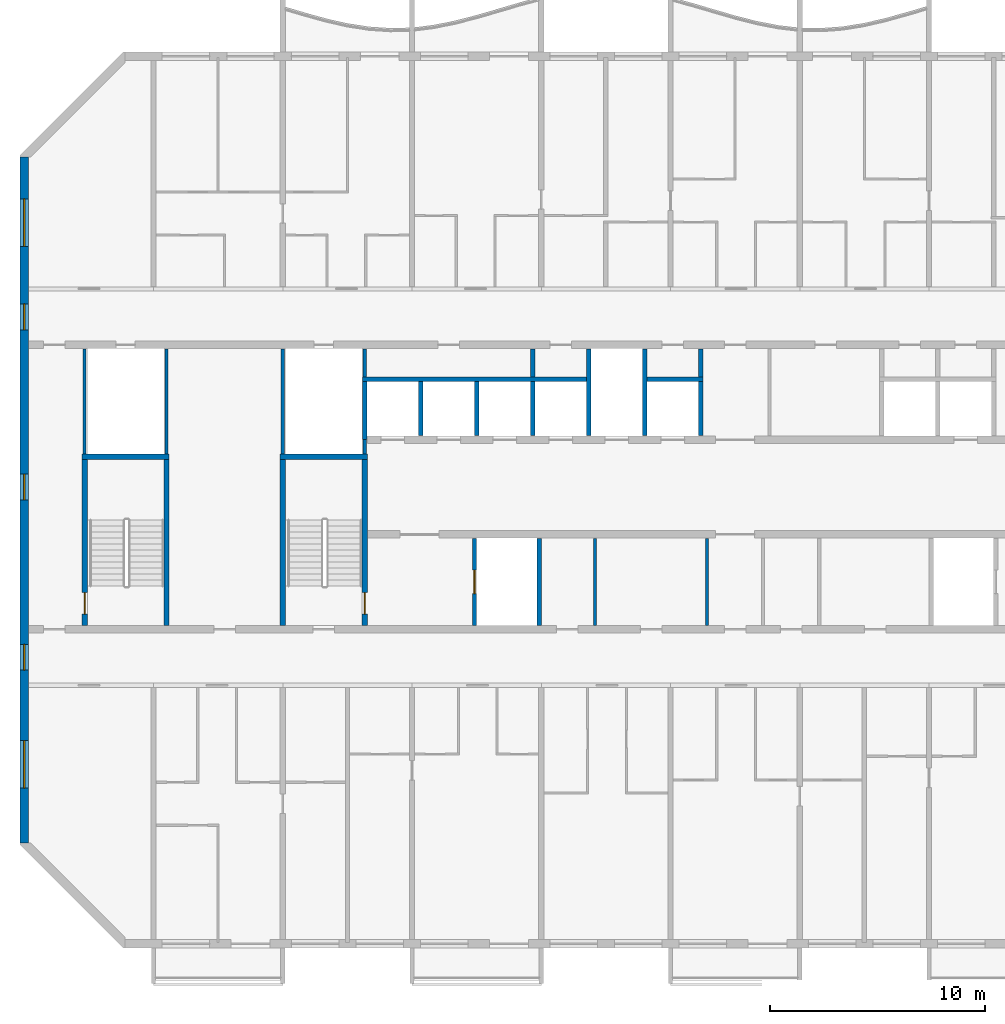
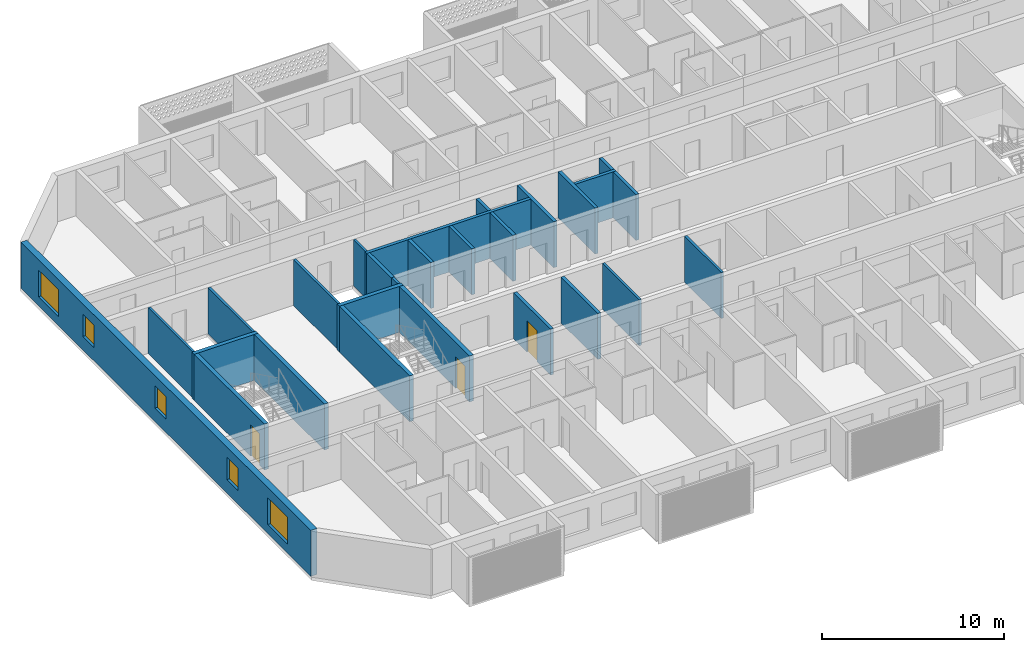
# One storey, part 3 of 27: 27 walls, 5 windows, 3 doors, 8 openings.
"""IFC4 building model written with IfcOpenShell, lengths in metres."""

from ifc_helpers import new_model, si_unit, direction, frame, frame_2d, origin, place, context, subcontext, project, spatial, rectangle, extrude, material, layer, layer_set, type_object, element, fill, save


model = new_model("IFC4")

# Units and contexts
model_context = context("Model", 3, precision=1e-05, world=origin(), true_north=direction((0.0, 1.0)))
body_context = subcontext(model_context, "Body", "Model", "MODEL_VIEW")
ifc_project = project(units=[si_unit("LENGTHUNIT", "METRE"), si_unit("AREAUNIT", "SQUARE_METRE"), si_unit("VOLUMEUNIT", "CUBIC_METRE"), si_unit("PLANEANGLEUNIT", "RADIAN"), si_unit("MASSUNIT", "GRAM", prefix="KILO")], contexts=[model_context])

# Site, building, storey
site_placement = place(None, origin())
site = spatial("IfcSite", under=ifc_project, at=site_placement, CompositionType="ELEMENT")
building_placement = place(site_placement, origin())
building = spatial("IfcBuilding", under=site, at=building_placement, Name="Poui Terraces", CompositionType="ELEMENT")
storey_placement = place(building_placement, frame((0.0, 0.0, 254.39990234375)))
storey = spatial("IfcBuildingStorey", under=building, at=storey_placement, Name="L71", CompositionType="ELEMENT", Elevation=254.39990234375)

# Wall
ifc_material_1 = material(Name="Fire-rated plasterboard wall")
ifc_layer_1 = layer(ifc_material_1, 0.14990234375)
ifc_layer_set_1 = layer_set([ifc_layer_1], Name="Fire-rated plasterboard wall")
wall_type_1 = type_object("IfcWallType", Name="CORRIDOR WALL 150", PredefinedType="PARTITIONING", material=ifc_layer_set_1)
wall_1_placement = place(storey_placement, frame((49.699951171875, 14.784912109375, 0.0), z_axis=(0.0, 0.0, 1.0), x_axis=(0.0, 1.0, 0.0)))
element("IfcWall", 1, at=wall_1_placement, inside=storey, type_object=wall_type_1, Name="CORRIDOR WALL 150", PredefinedType="PARTITIONING", context=body_context, shape_type="SweptSolid", body=[
    extrude(rectangle(XDim=4.030029296875, YDim=0.14990234375, at=frame_2d((2.01513671875, 0.0))), origin(), (0.0, 0.0, 1.0), 3.080078125),
])

# Wall, openings, windows
ifc_material_2 = material(Name="Concrete 50 MPa", Category="concrete")
ifc_layer_2 = layer(ifc_material_2, 0.39990234375)
ifc_layer_set_2 = layer_set([ifc_layer_2], Name="Concrete 50 MPa")
wall_type_2 = type_object("IfcWallType", Name="END WALL 400 50MPa", PredefinedType="SHEAR", material=ifc_layer_set_2)
wall_2_placement = place(storey_placement, frame((18.0, 4.682861328125, 0.0), z_axis=(0.0, 0.0, 1.0), x_axis=(0.0, 1.0, 0.0)))
wall_2 = element("IfcWall", 2, at=wall_2_placement, inside=storey, type_object=wall_type_2, Name="END WALL WEST", PredefinedType="SHEAR", context=body_context, shape_type="SweptSolid", body=[
    extrude(rectangle(XDim=31.834228515625, YDim=0.39990234375, at=frame_2d((15.9169921875, 0.0))), origin(), (0.0, 0.0, 1.0), 3.080078125),
])
opening_1_placement = place(wall_2_placement, frame((23.817138671875, 0.0, 0.89990234375)))
opening_1 = element("IfcOpeningElement", 3, at=opening_1_placement, cuts=wall_2, Name="Opening W2", PredefinedType="OPENING", context=body_context, shape_type="SweptSolid", body=[
    extrude(rectangle(XDim=1.199951171875, YDim=1.5, at=frame_2d((0.60009765625, 0.75))), frame((0.0, 0.2099609375, 0.0), z_axis=(0.0, -1.0, 0.0), x_axis=(1.0, 0.0, 0.0)), (0.0, 0.0, 1.0), 0.419921875),
])
opening_2_placement = place(wall_2_placement, frame((8.01708984375, 0.0, 0.89990234375)))
opening_2 = element("IfcOpeningElement", 4, at=opening_2_placement, cuts=wall_2, Name="Opening W2", PredefinedType="OPENING", context=body_context, shape_type="SweptSolid", body=[
    extrude(rectangle(XDim=1.199951171875, YDim=1.5, at=frame_2d((0.60009765625, 0.75))), frame((0.0, 0.2099609375, 0.0), z_axis=(0.0, -1.0, 0.0), x_axis=(1.0, 0.0, 0.0)), (0.0, 0.0, 1.0), 0.419921875),
])
opening_3_placement = place(wall_2_placement, frame((27.693603515625, 0.0, 0.60009765625)))
opening_3 = element("IfcOpeningElement", 5, at=opening_3_placement, cuts=wall_2, Name="Opening W3", PredefinedType="OPENING", context=body_context, shape_type="SweptSolid", body=[
    extrude(rectangle(XDim=2.199951171875, YDim=1.800048828125, at=frame_2d((1.10009765625, 0.89990234375))), frame((0.0, 0.2099609375, 0.0), z_axis=(0.0, -1.0, 0.0), x_axis=(1.0, 0.0, 0.0)), (0.0, 0.0, 1.0), 0.419921875),
])
opening_4_placement = place(wall_2_placement, frame((2.541015625, 0.0, 0.60009765625)))
opening_4 = element("IfcOpeningElement", 6, at=opening_4_placement, cuts=wall_2, Name="Opening W3", PredefinedType="OPENING", context=body_context, shape_type="SweptSolid", body=[
    extrude(rectangle(XDim=2.199951171875, YDim=1.800048828125, at=frame_2d((1.10009765625, 0.89990234375))), frame((0.0, 0.2099609375, 0.0), z_axis=(0.0, -1.0, 0.0), x_axis=(1.0, 0.0, 0.0)), (0.0, 0.0, 1.0), 0.419921875),
])
opening_5_placement = place(wall_2_placement, frame((15.917236328125, 0.0, 0.89990234375)))
opening_5 = element("IfcOpeningElement", 7, at=opening_5_placement, cuts=wall_2, Name="Opening W2", PredefinedType="OPENING", context=body_context, shape_type="SweptSolid", body=[
    extrude(rectangle(XDim=1.199951171875, YDim=1.5, at=frame_2d((0.60009765625, 0.75))), frame((0.0, 0.2099609375, 0.0), z_axis=(0.0, -1.0, 0.0), x_axis=(1.0, 0.0, 0.0)), (0.0, 0.0, 1.0), 0.419921875),
])
ifc_material_3 = material(Name="Clear glass in aluminium frame", Category="aluminium")
window_type_1 = type_object("IfcWindowType", Name="WINDOW 1200X1500", PartitioningType="SINGLE_PANEL", PredefinedType="WINDOW", material=ifc_material_3)
window_1_placement = place(opening_1_placement, origin())
window_1 = element("IfcWindow", 8, at=window_1_placement, inside=storey, type_object=window_type_1, Name="W2 WINDOW", OverallHeight=1.5, OverallWidth=1.199951171875, PartitioningType="SINGLE_PANEL", PredefinedType="WINDOW", context=body_context, shape_type="SweptSolid", body=[
    extrude(rectangle(XDim=1.199951171875, YDim=1.5, at=frame_2d((0.60009765625, 0.75))), frame((0.0, 0.030029296875, 0.0), z_axis=(0.0, -1.0, 0.0), x_axis=(1.0, 0.0, 0.0)), (0.0, 0.0, 1.0), 0.06005859375),
])
fill(opening_1, window_1)
window_2_placement = place(opening_2_placement, origin())
window_2 = element("IfcWindow", 9, at=window_2_placement, inside=storey, type_object=window_type_1, Name="W2 WINDOW", OverallHeight=1.5, OverallWidth=1.199951171875, PartitioningType="SINGLE_PANEL", PredefinedType="WINDOW", context=body_context, shape_type="SweptSolid", body=[
    extrude(rectangle(XDim=1.199951171875, YDim=1.5, at=frame_2d((0.60009765625, 0.75))), frame((0.0, 0.030029296875, 0.0), z_axis=(0.0, -1.0, 0.0), x_axis=(1.0, 0.0, 0.0)), (0.0, 0.0, 1.0), 0.06005859375),
])
fill(opening_2, window_2)
window_3_placement = place(opening_5_placement, origin())
window_3 = element("IfcWindow", 10, at=window_3_placement, inside=storey, type_object=window_type_1, Name="W2 WINDOW", OverallHeight=1.5, OverallWidth=1.199951171875, PartitioningType="SINGLE_PANEL", PredefinedType="WINDOW", context=body_context, shape_type="SweptSolid", body=[
    extrude(rectangle(XDim=1.199951171875, YDim=1.5, at=frame_2d((0.60009765625, 0.75))), frame((0.0, 0.030029296875, 0.0), z_axis=(0.0, -1.0, 0.0), x_axis=(1.0, 0.0, 0.0)), (0.0, 0.0, 1.0), 0.06005859375),
])
fill(opening_5, window_3)
window_type_2 = type_object("IfcWindowType", Name="WINDOW 2200X1800", PartitioningType="DOUBLE_PANEL_HORIZONTAL", PredefinedType="WINDOW", material=ifc_material_3)
window_4_placement = place(opening_3_placement, origin())
window_4 = element("IfcWindow", 11, at=window_4_placement, inside=storey, type_object=window_type_2, Name="W3 WINDOW", OverallHeight=1.800048828125, OverallWidth=2.199951171875, PartitioningType="DOUBLE_PANEL_HORIZONTAL", PredefinedType="WINDOW", context=body_context, shape_type="SweptSolid", body=[
    extrude(rectangle(XDim=2.199951171875, YDim=1.800048828125, at=frame_2d((1.10009765625, 0.89990234375))), frame((0.0, 0.030029296875, 0.0), z_axis=(0.0, -1.0, 0.0), x_axis=(1.0, 0.0, 0.0)), (0.0, 0.0, 1.0), 0.06005859375),
])
fill(opening_3, window_4)
window_5_placement = place(opening_4_placement, origin())
window_5 = element("IfcWindow", 12, at=window_5_placement, inside=storey, type_object=window_type_2, Name="W3 WINDOW", OverallHeight=1.800048828125, OverallWidth=2.199951171875, PartitioningType="DOUBLE_PANEL_HORIZONTAL", PredefinedType="WINDOW", context=body_context, shape_type="SweptSolid", body=[
    extrude(rectangle(XDim=2.199951171875, YDim=1.800048828125, at=frame_2d((1.10009765625, 0.89990234375))), frame((0.0, 0.030029296875, 0.0), z_axis=(0.0, -1.0, 0.0), x_axis=(1.0, 0.0, 0.0)), (0.0, 0.0, 1.0), 0.06005859375),
])
fill(opening_4, window_5)

# Walls
ifc_material_4 = material(Name="Plasterboard partition")
ifc_layer_3 = layer(ifc_material_4, 0.14990234375)
ifc_layer_set_3 = layer_set([ifc_layer_3], Name="Plasterboard partition")
wall_type_3 = type_object("IfcWallType", Name="PARTITION WALL 150", PredefinedType="PARTITIONING", material=ifc_layer_set_3)
wall_3_placement = place(storey_placement, frame((44.5, 14.784912109375, 0.0), z_axis=(0.0, 0.0, 1.0), x_axis=(0.0, 1.0, 0.0)))
element("IfcWall", 13, at=wall_3_placement, inside=storey, type_object=wall_type_3, Name="PARTITION WALL 150", PredefinedType="PARTITIONING", context=body_context, shape_type="SweptSolid", body=[
    extrude(rectangle(XDim=4.030029296875, YDim=0.14990234375, at=frame_2d((2.01513671875, 0.0))), origin(), (0.0, 0.0, 1.0), 3.080078125),
])
ifc_material_5 = material(Name="Fire-rated masonry wall", Category="masonry")
ifc_layer_4 = layer(ifc_material_5, 0.199951171875)
ifc_layer_set_4 = layer_set([ifc_layer_4], Name="Fire-rated masonry wall")
wall_type_4 = type_object("IfcWallType", Name="PLANT ROOM WALL 200", PredefinedType="PARTITIONING", material=ifc_layer_set_4)
for number, where, z_axis, x_axis, name in (
    (14, (41.60009765625, 26.300048828125, 0.0), (0.0, 0.0, 1.0), (0.0, 1.0, 0.0), "PLANT ROOM WALL 200"),
    (15, (49.39990234375, 26.300048828125, 0.0), (0.0, 0.0, 1.0), (0.0, 1.0, 0.0), "PLANT ROOM WALL 200"),
):
    element("IfcWall", number, at=place(storey_placement, frame(where, z_axis=z_axis, x_axis=x_axis)), inside=storey, type_object=wall_type_4, Name=name, PredefinedType="PARTITIONING", context=body_context, shape_type="SweptSolid", body=[
        extrude(rectangle(XDim=1.31494140625, YDim=0.199951171875, at=frame_2d((0.657470703125, 0.0))), origin(), (0.0, 0.0, 1.0), 3.080078125),
    ])
ifc_material_6 = material(Name="Fire-rated plasterboard riser wall")
ifc_layer_5 = layer(ifc_material_6, 0.14990234375)
ifc_layer_set_5 = layer_set([ifc_layer_5], Name="Fire-rated plasterboard riser wall")
wall_type_5 = type_object("IfcWallType", Name="RISER WALL 150", PredefinedType="PARTITIONING", material=ifc_layer_set_5)
for number, where, z_axis, x_axis, name in (
    (16, (20.800048828125, 22.735107421875, 0.0), (0.0, 0.0, 1.0), (0.0, 1.0, 0.0), "RISER WALL 150"),
    (17, (24.60009765625, 22.735107421875, 0.0), (0.0, 0.0, 1.0), (0.0, 1.0, 0.0), "RISER WALL 150"),
    (18, (30.0, 22.735107421875, 0.0), (0.0, 0.0, 1.0), (0.0, 1.0, 0.0), "RISER WALL 150"),
):
    element("IfcWall", number, at=place(storey_placement, frame(where, z_axis=z_axis, x_axis=x_axis)), inside=storey, type_object=wall_type_5, Name=name, PredefinedType="PARTITIONING", context=body_context, shape_type="SweptSolid", body=[
        extrude(rectangle(XDim=4.8798828125, YDim=0.14990234375, at=frame_2d((2.43994140625, 0.0))), origin(), (0.0, 0.0, 1.0), 3.080078125),
    ])
wall_4_placement = place(storey_placement, frame((33.800048828125, 22.735107421875, 0.0), z_axis=(0.0, 0.0, 1.0), x_axis=(0.0, 1.0, 0.0)))
element("IfcWall", 19, at=wall_4_placement, inside=storey, type_object=wall_type_5, Name="RISER WALL 150", PredefinedType="PARTITIONING", context=body_context, shape_type="SweptSolid", body=[
    extrude(rectangle(XDim=0.664794921875, YDim=0.14990234375, at=frame_2d((0.33251953125, 0.0))), origin(), (0.0, 0.0, 1.0), 3.080078125),
])
wall_5_placement = place(storey_placement, frame((33.800048828125, 26.300048828125, 0.0), z_axis=(0.0, 0.0, 1.0), x_axis=(0.0, 1.0, 0.0)))
element("IfcWall", 20, at=wall_5_placement, inside=storey, type_object=wall_type_5, Name="RISER WALL 150", PredefinedType="PARTITIONING", context=body_context, shape_type="SweptSolid", body=[
    extrude(rectangle(XDim=1.31494140625, YDim=0.14990234375, at=frame_2d((0.657470703125, 0.0))), origin(), (0.0, 0.0, 1.0), 3.080078125),
])
ifc_material_7 = material(Name="Fire-rated masonry shaft wall", Category="masonry")
ifc_layer_6 = layer(ifc_material_7, 0.199951171875)
ifc_layer_set_6 = layer_set([ifc_layer_6], Name="Fire-rated masonry shaft wall")
wall_type_6 = type_object("IfcWallType", Name="SHAFT WALL 200", PredefinedType="PARTITIONING", material=ifc_layer_set_6)
wall_6_placement = place(storey_placement, frame((33.699951171875, 26.199951171875, 0.0), z_axis=(0.0, 0.0, 1.0), x_axis=(1.0, 0.0, 0.0)))
element("IfcWall", 21, at=wall_6_placement, inside=storey, type_object=wall_type_6, Name="SHAFT WALL 200", PredefinedType="PARTITIONING", context=body_context, shape_type="SweptSolid", body=[
    extrude(rectangle(XDim=10.400146484375, YDim=0.199951171875, at=frame_2d((5.2001953125, 0.0))), origin(), (0.0, 0.0, 1.0), 3.080078125),
])
wall_7_placement = place(storey_placement, frame((46.89990234375, 26.199951171875, 0.0), z_axis=(0.0, 0.0, 1.0), x_axis=(1.0, 0.0, 0.0)))
element("IfcWall", 22, at=wall_7_placement, inside=storey, type_object=wall_type_6, Name="SHAFT WALL 200", PredefinedType="PARTITIONING", context=body_context, shape_type="SweptSolid", body=[
    extrude(rectangle(XDim=2.60009765625, YDim=0.199951171875, at=frame_2d((1.300048828125, 0.0))), origin(), (0.0, 0.0, 1.0), 3.080078125),
])
wall_8_placement = place(storey_placement, frame((33.800048828125, 23.39990234375, 0.0), z_axis=(0.0, 0.0, 1.0), x_axis=(0.0, 1.0, 0.0)))
element("IfcWall", 23, at=wall_8_placement, inside=storey, type_object=wall_type_6, Name="SHAFT WALL 200", PredefinedType="PARTITIONING", context=body_context, shape_type="SweptSolid", body=[
    extrude(rectangle(XDim=2.7001953125, YDim=0.199951171875, at=frame_2d((1.35009765625, 0.0))), origin(), (0.0, 0.0, 1.0), 3.080078125),
])
wall_9_placement = place(storey_placement, frame((36.39990234375, 23.5849609375, 0.0), z_axis=(0.0, 0.0, 1.0), x_axis=(0.0, 1.0, 0.0)))
element("IfcWall", 24, at=wall_9_placement, inside=storey, type_object=wall_type_6, Name="SHAFT WALL 200", PredefinedType="PARTITIONING", context=body_context, shape_type="SweptSolid", body=[
    extrude(rectangle(XDim=2.51513671875, YDim=0.199951171875, at=frame_2d((1.257568359375, 0.0))), origin(), (0.0, 0.0, 1.0), 3.080078125),
])

# Wall, opening, door
wall_10_placement = place(storey_placement, frame((38.89990234375, 14.784912109375, 0.0), z_axis=(0.0, 0.0, 1.0), x_axis=(0.0, 1.0, 0.0)))
wall_10 = element("IfcWall", 25, at=wall_10_placement, inside=storey, type_object=wall_type_6, Name="SHAFT WALL 200", PredefinedType="PARTITIONING", context=body_context, shape_type="SweptSolid", body=[
    extrude(rectangle(XDim=4.030029296875, YDim=0.199951171875, at=frame_2d((2.01513671875, 0.0))), origin(), (0.0, 0.0, 1.0), 3.080078125),
])
opening_6_placement = place(wall_10_placement, frame((1.465087890625, 0.0, 0.0)))
opening_6 = element("IfcOpeningElement", 26, at=opening_6_placement, cuts=wall_10, Name="Opening LD", PredefinedType="OPENING", context=body_context, shape_type="SweptSolid", body=[
    extrude(rectangle(XDim=1.10009765625, YDim=2.10009765625, at=frame_2d((0.550048828125, 1.050048828125))), frame((0.0, 0.10986328125, 0.0), z_axis=(0.0, -1.0, 0.0), x_axis=(1.0, 0.0, 0.0)), (0.0, 0.0, 1.0), 0.219970703125),
])
ifc_material_8 = material(Name="Stainless steel sliding door", Category="steel")
door_type_1 = type_object("IfcDoorType", Name="LIFT LANDING DOOR 1100 X 2100", OperationType="DOUBLE_DOOR_SLIDING", PredefinedType="DOOR", material=ifc_material_8)
door_1_placement = place(opening_6_placement, origin())
door_1 = element("IfcDoor", 27, at=door_1_placement, inside=storey, type_object=door_type_1, Name="LANDING DOOR", OperationType="DOUBLE_DOOR_SLIDING", OverallHeight=2.10009765625, OverallWidth=1.10009765625, PredefinedType="DOOR", context=body_context, shape_type="SweptSolid", body=[
    extrude(rectangle(XDim=1.10009765625, YDim=2.10009765625, at=frame_2d((0.550048828125, 1.050048828125))), frame((0.0, 0.02490234375, 0.0), z_axis=(0.0, -1.0, 0.0), x_axis=(1.0, 0.0, 0.0)), (0.0, 0.0, 1.0), 0.050048828125),
])
fill(opening_6, door_1)

# Walls
for number, where, z_axis, x_axis, name in (
    (28, (39.0, 23.5849609375, 0.0), (0.0, 0.0, 1.0), (0.0, 1.0, 0.0), "SHAFT WALL 200"),
    (29, (41.60009765625, 23.5849609375, 0.0), (0.0, 0.0, 1.0), (0.0, 1.0, 0.0), "SHAFT WALL 200"),
):
    element("IfcWall", number, at=place(storey_placement, frame(where, z_axis=z_axis, x_axis=x_axis)), inside=storey, type_object=wall_type_6, Name=name, PredefinedType="PARTITIONING", context=body_context, shape_type="SweptSolid", body=[
        extrude(rectangle(XDim=2.51513671875, YDim=0.199951171875, at=frame_2d((1.257568359375, 0.0))), origin(), (0.0, 0.0, 1.0), 3.080078125),
    ])
for number, where, z_axis, x_axis, name in (
    (30, (41.89990234375, 14.784912109375, 0.0), (0.0, 0.0, 1.0), (0.0, 1.0, 0.0), "SHAFT WALL 200"),
    (31, (44.199951171875, 23.5849609375, 0.0), (0.0, 0.0, 1.0), (0.0, 1.0, 0.0), "SHAFT WALL 200"),
    (32, (46.800048828125, 23.5849609375, 0.0), (0.0, 0.0, 1.0), (0.0, 1.0, 0.0), "SHAFT WALL 200"),
):
    element("IfcWall", number, at=place(storey_placement, frame(where, z_axis=z_axis, x_axis=x_axis)), inside=storey, type_object=wall_type_6, Name=name, PredefinedType="PARTITIONING", context=body_context, shape_type="SweptSolid", body=[
        extrude(rectangle(XDim=4.030029296875, YDim=0.199951171875, at=frame_2d((2.01513671875, 0.0))), origin(), (0.0, 0.0, 1.0), 3.080078125),
    ])
wall_11_placement = place(storey_placement, frame((49.39990234375, 23.5849609375, 0.0), z_axis=(0.0, 0.0, 1.0), x_axis=(0.0, 1.0, 0.0)))
element("IfcWall", 33, at=wall_11_placement, inside=storey, type_object=wall_type_6, Name="SHAFT WALL 200", PredefinedType="PARTITIONING", context=body_context, shape_type="SweptSolid", body=[
    extrude(rectangle(XDim=2.51513671875, YDim=0.199951171875, at=frame_2d((1.257568359375, 0.0))), origin(), (0.0, 0.0, 1.0), 3.080078125),
])
ifc_layer_7 = layer(ifc_material_2, 0.25)
ifc_layer_set_7 = layer_set([ifc_layer_7], Name="Concrete 50 MPa")
wall_type_7 = type_object("IfcWallType", Name="STAIR CORE WALL 250 50 MPA", PredefinedType="SOLIDWALL", material=ifc_layer_set_7)
wall_12_placement = place(storey_placement, frame((30.0, 14.77490234375, 0.0), z_axis=(0.0, 0.0, 1.0), x_axis=(0.0, 1.0, 0.0)))
element("IfcWall", 34, at=wall_12_placement, inside=storey, type_object=wall_type_7, Name="STAIR CORE WALL", PredefinedType="SOLIDWALL", context=body_context, shape_type="SweptSolid", body=[
    extrude(rectangle(XDim=7.7001953125, YDim=0.25, at=frame_2d((3.85009765625, 0.0))), origin(), (0.0, 0.0, 1.0), 3.080078125),
])

# Wall, opening, door
wall_13_placement = place(storey_placement, frame((33.800048828125, 14.77490234375, 0.0), z_axis=(0.0, 0.0, 1.0), x_axis=(0.0, 1.0, 0.0)))
wall_13 = element("IfcWall", 35, at=wall_13_placement, inside=storey, type_object=wall_type_7, Name="STAIR CORE WALL", PredefinedType="SOLIDWALL", context=body_context, shape_type="SweptSolid", body=[
    extrude(rectangle(XDim=7.7001953125, YDim=0.25, at=frame_2d((3.85009765625, 0.0))), origin(), (0.0, 0.0, 1.0), 3.080078125),
])
opening_7_placement = place(wall_13_placement, frame((0.52490234375, 0.0, 0.0)))
opening_7 = element("IfcOpeningElement", 36, at=opening_7_placement, cuts=wall_13, Name="Opening FD60S", PredefinedType="OPENING", context=body_context, shape_type="SweptSolid", body=[
    extrude(rectangle(XDim=1.0, YDim=2.10009765625, at=frame_2d((0.5, 1.050048828125))), frame((0.0, 0.135009765625, 0.0), z_axis=(0.0, -1.0, 0.0), x_axis=(1.0, 0.0, 0.0)), (0.0, 0.0, 1.0), 0.27001953125),
])
ifc_material_9 = material(Name="Steel fire door", Category="steel")
door_type_2 = type_object("IfcDoorType", Name="STAIR DOOR 1000 X 2100", OperationType="NOTDEFINED", PredefinedType="DOOR", material=ifc_material_9)
door_2_placement = place(opening_7_placement, origin())
door_2 = element("IfcDoor", 37, at=door_2_placement, inside=storey, type_object=door_type_2, Name="STAIR DOOR 096", OperationType="SINGLE_SWING_LEFT", OverallHeight=2.10009765625, OverallWidth=1.0, PredefinedType="DOOR", context=body_context, shape_type="SweptSolid", body=[
    extrude(rectangle(XDim=1.0, YDim=2.10009765625, at=frame_2d((0.5, 1.050048828125))), frame((0.0, 0.02490234375, 0.0), z_axis=(0.0, -1.0, 0.0), x_axis=(1.0, 0.0, 0.0)), (0.0, 0.0, 1.0), 0.050048828125),
])
fill(opening_7, door_2)

# Wall
wall_14_placement = place(storey_placement, frame((29.875, 22.60009765625, 0.0), z_axis=(0.0, 0.0, 1.0), x_axis=(1.0, 0.0, 0.0)))
element("IfcWall", 38, at=wall_14_placement, inside=storey, type_object=wall_type_7, Name="STAIR CORE WALL", PredefinedType="SOLIDWALL", context=body_context, shape_type="SweptSolid", body=[
    extrude(rectangle(XDim=4.050048828125, YDim=0.25, at=frame_2d((2.02490234375, 0.0))), origin(), (0.0, 0.0, 1.0), 3.080078125),
])

# Wall, opening, door
wall_15_placement = place(storey_placement, frame((20.800048828125, 14.77490234375, 0.0), z_axis=(0.0, 0.0, 1.0), x_axis=(0.0, 1.0, 0.0)))
wall_15 = element("IfcWall", 39, at=wall_15_placement, inside=storey, type_object=wall_type_7, Name="STAIR CORE WALL", PredefinedType="SOLIDWALL", context=body_context, shape_type="SweptSolid", body=[
    extrude(rectangle(XDim=7.7001953125, YDim=0.25, at=frame_2d((3.85009765625, 0.0))), origin(), (0.0, 0.0, 1.0), 3.080078125),
])
opening_8_placement = place(wall_15_placement, frame((0.52490234375, 0.0, 0.0)))
opening_8 = element("IfcOpeningElement", 40, at=opening_8_placement, cuts=wall_15, Name="Opening FD60S", PredefinedType="OPENING", context=body_context, shape_type="SweptSolid", body=[
    extrude(rectangle(XDim=1.0, YDim=2.10009765625, at=frame_2d((0.5, 1.050048828125))), frame((0.0, 0.135009765625, 0.0), z_axis=(0.0, -1.0, 0.0), x_axis=(1.0, 0.0, 0.0)), (0.0, 0.0, 1.0), 0.27001953125),
])
door_3_placement = place(opening_8_placement, frame((1.0, 0.0, 0.0), z_axis=(0.0, 0.0, 1.0), x_axis=(-1.0, 0.0, 0.0)))
door_3 = element("IfcDoor", 41, at=door_3_placement, inside=storey, type_object=door_type_2, Name="STAIR DOOR 110", OperationType="SINGLE_SWING_RIGHT", OverallHeight=2.10009765625, OverallWidth=1.0, PredefinedType="DOOR", context=body_context, shape_type="SweptSolid", body=[
    extrude(rectangle(XDim=1.0, YDim=2.10009765625, at=frame_2d((0.5, 1.050048828125))), frame((0.0, 0.02490234375, 0.0), z_axis=(0.0, -1.0, 0.0), x_axis=(1.0, 0.0, 0.0)), (0.0, 0.0, 1.0), 0.050048828125),
])
fill(opening_8, door_3)

# Walls
wall_16_placement = place(storey_placement, frame((24.60009765625, 14.77490234375, 0.0), z_axis=(0.0, 0.0, 1.0), x_axis=(0.0, 1.0, 0.0)))
element("IfcWall", 42, at=wall_16_placement, inside=storey, type_object=wall_type_7, Name="STAIR CORE WALL", PredefinedType="SOLIDWALL", context=body_context, shape_type="SweptSolid", body=[
    extrude(rectangle(XDim=7.7001953125, YDim=0.25, at=frame_2d((3.85009765625, 0.0))), origin(), (0.0, 0.0, 1.0), 3.080078125),
])
wall_17_placement = place(storey_placement, frame((20.675048828125, 22.60009765625, 0.0), z_axis=(0.0, 0.0, 1.0), x_axis=(1.0, 0.0, 0.0)))
element("IfcWall", 43, at=wall_17_placement, inside=storey, type_object=wall_type_7, Name="STAIR CORE WALL", PredefinedType="SOLIDWALL", context=body_context, shape_type="SweptSolid", body=[
    extrude(rectangle(XDim=4.050048828125, YDim=0.25, at=frame_2d((2.02490234375, 0.0))), origin(), (0.0, 0.0, 1.0), 3.080078125),
])

save(model, "model.ifc")
